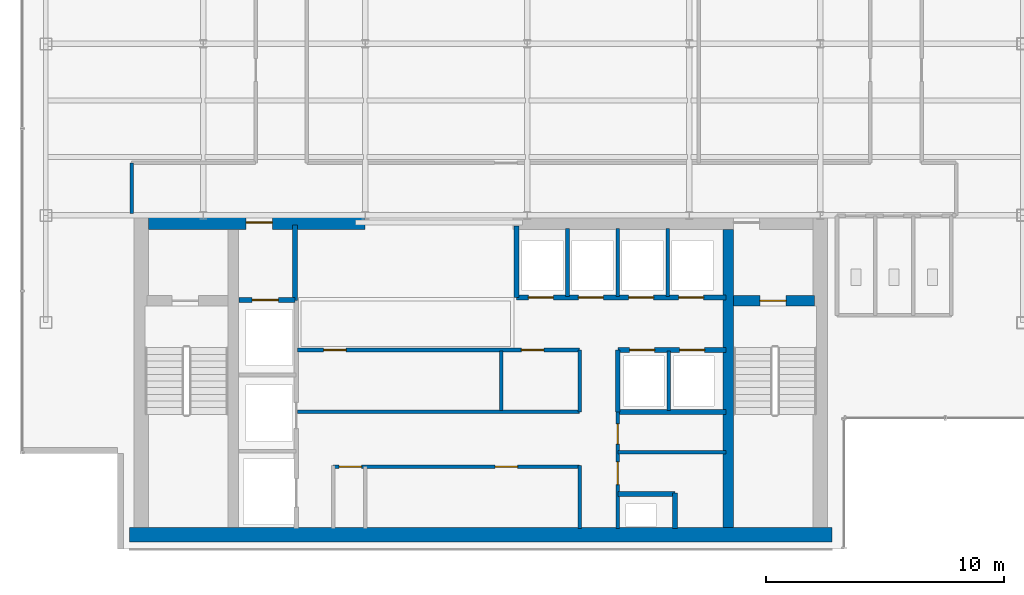
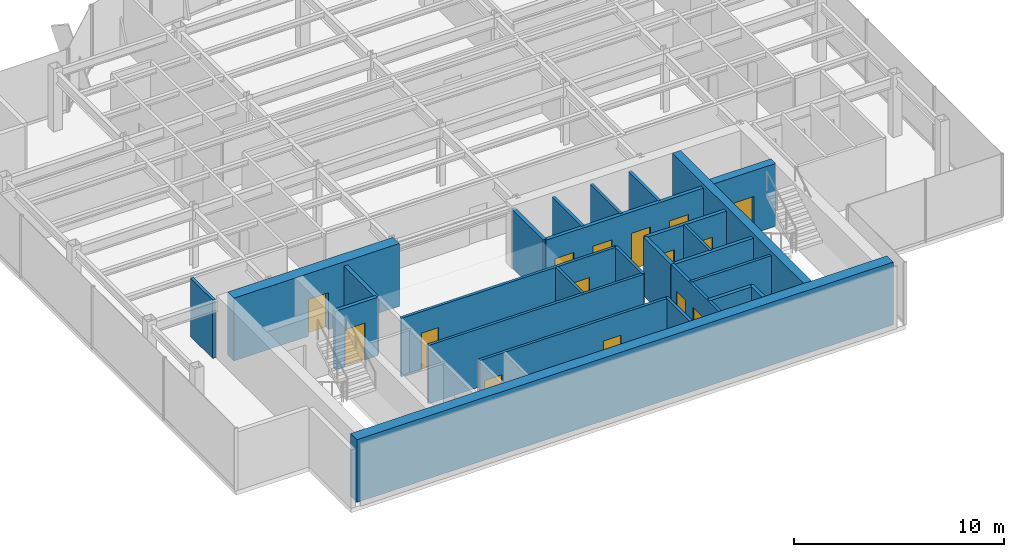
# One storey, part 17 of 22: 26 walls, 15 doors, 15 openings.
"""IFC4 building model written with IfcOpenShell, lengths in metres."""

from ifc_helpers import new_model, si_unit, derived_unit, direction, frame, frame_2d, origin, place, context, subcontext, project, spatial, rectangle, extrude, source, transform, mapped, material, layer, layer_set, type_object, element, fill, save


model = new_model("IFC4")

# Units and contexts
model_context = context("Model", 3, precision=1e-05, world=origin(), true_north=direction((0.0, 1.0)))
body_context = subcontext(model_context, "Body", "Model", "MODEL_VIEW")
ifc_project = project(units=[si_unit("LENGTHUNIT", "METRE"), si_unit("AREAUNIT", "SQUARE_METRE"), si_unit("VOLUMEUNIT", "CUBIC_METRE"), si_unit("PLANEANGLEUNIT", "RADIAN"), si_unit("MASSUNIT", "GRAM", prefix="KILO"), derived_unit("THERMALTRANSMITTANCEUNIT", [(si_unit("POWERUNIT", "WATT"), 1), (si_unit("LENGTHUNIT", "METRE"), -2), (si_unit("THERMODYNAMICTEMPERATUREUNIT", "KELVIN"), -1)])], contexts=[model_context])

# Site, building, storey
site_placement = place(None, origin())
site = spatial("IfcSite", under=ifc_project, at=site_placement, CompositionType="ELEMENT")
building_placement = place(site_placement, origin())
building = spatial("IfcBuilding", under=site, at=building_placement, Name="Skarnbrae Concourse Arena and Tower", CompositionType="ELEMENT")
storey_placement = place(building_placement, frame((0.0, 0.0, 244.199951171875)))
storey = spatial("IfcBuildingStorey", under=building, at=storey_placement, Name="L63", CompositionType="ELEMENT", Elevation=244.199951171875)

# Wall, opening, door
ifc_material_1 = material(Name="Concrete 50 MPa (C50/60)", Category="concrete")
ifc_layer_1 = layer(ifc_material_1, 0.449951171875)
ifc_layer_set_1 = layer_set([ifc_layer_1], Name="Concrete 50 MPa (C50/60)")
wall_type_1 = type_object("IfcWallType", Name="WALL-CORE-450-C50", PredefinedType="SHEAR", material=ifc_layer_set_1)
shared_shape_1 = source(origin(), body_context, "Body", "SweptSolid", [
    extrude(rectangle(XDim=3.389892578125, YDim=0.449951171875, at=frame_2d((1.69482421875, 0.0))), origin(), (0.0, 0.0, 1.0), 3.650146484375),
])
wall_1_placement = place(storey_placement, frame((29.860107421875, 10.419921875, 0.0), z_axis=(0.0, 0.0, 1.0), x_axis=(1.0, 0.0, 0.0)))
wall_1 = element("IfcWall", 1, at=wall_1_placement, inside=storey, type_object=wall_type_1, Name="L63 Rear core shear wall CW-ST2-N", PredefinedType="SHEAR", context=body_context, shape_type="MappedRepresentation", body=[
    mapped(shared_shape_1, transform((0.0, 0.0, 0.0))),
])
opening_1_placement = place(wall_1_placement, frame((1.10009765625, 0.0, 0.0)))
opening_1 = element("IfcOpeningElement", 2, at=opening_1_placement, cuts=wall_1, Name="Opening DT-03", PredefinedType="OPENING", context=body_context, shape_type="SweptSolid", body=[
    extrude(rectangle(XDim=1.10009765625, YDim=2.14990234375, at=frame_2d((0.550048828125, 1.074951171875))), frame((0.0, 0.23486328125, 0.0), z_axis=(0.0, -1.0, 0.0), x_axis=(1.0, 0.0, 0.0)), (0.0, 0.0, 1.0), 0.469970703125),
])
ifc_material_2 = material(Name="Steel CSA G40.21 350W", Category="steel")
door_type_1 = type_object("IfcDoorType", Name="DOOR-FIRE-1100-90M", OperationType="NOTDEFINED", PredefinedType="DOOR", material=ifc_material_2)
shared_shape_2 = source(origin(), body_context, "Body", "SweptSolid", [
    extrude(rectangle(XDim=1.10009765625, YDim=2.14990234375, at=frame_2d((0.550048828125, 1.074951171875))), frame((0.0, 0.02490234375, 0.0), z_axis=(0.0, -1.0, 0.0), x_axis=(1.0, 0.0, 0.0)), (0.0, 0.0, 1.0), 0.050048828125),
])
door_1_placement = place(opening_1_placement, frame((1.10009765625, 0.0, 0.0), z_axis=(0.0, 0.0, 1.0), x_axis=(-1.0, 0.0, 0.0)))
door_1 = element("IfcDoor", 3, at=door_1_placement, inside=storey, type_object=door_type_1, Name="D-1894 Stair ST-2 Door", OperationType="SINGLE_SWING_RIGHT", OverallHeight=2.14990234375, OverallWidth=1.10009765625, PredefinedType="DOOR", context=body_context, shape_type="MappedRepresentation", body=[
    mapped(shared_shape_2, transform((0.0, 0.0, 0.0))),
])
fill(opening_1, door_1)

# Wall
ifc_layer_2 = layer(ifc_material_1, 0.60009765625)
ifc_layer_set_2 = layer_set([ifc_layer_2], Name="Concrete 50 MPa (C50/60)")
wall_type_2 = type_object("IfcWallType", Name="WALL-CORE-600-C50", PredefinedType="SHEAR", material=ifc_layer_set_2)
shared_shape_3 = source(origin(), body_context, "Body", "SweptSolid", [
    extrude(rectangle(XDim=29.5, YDim=0.60009765625, at=frame_2d((14.75, 0.0))), origin(), (0.0, 0.0, 1.0), 3.650146484375),
])
wall_2_placement = place(storey_placement, frame((4.5, 0.60009765625, 0.0), z_axis=(0.0, 0.0, 1.0), x_axis=(1.0, 0.0, 0.0)))
element("IfcWall", 4, at=wall_2_placement, inside=storey, type_object=wall_type_2, Name="L63 Rear core shear wall CW-S", PredefinedType="SHEAR", context=body_context, shape_type="MappedRepresentation", body=[
    mapped(shared_shape_3, transform((0.0, 0.0, 0.0))),
])

# Wall, opening, door
shared_shape_4 = source(origin(), body_context, "Body", "SweptSolid", [
    extrude(rectangle(XDim=9.099853515625, YDim=0.60009765625, at=frame_2d((4.5498046875, 0.0))), origin(), (0.0, 0.0, 1.0), 3.650146484375),
])
wall_3_placement = place(storey_placement, frame((5.300048828125, 13.699951171875, 0.0), z_axis=(0.0, 0.0, 1.0), x_axis=(1.0, 0.0, 0.0)))
wall_3 = element("IfcWall", 5, at=wall_3_placement, inside=storey, type_object=wall_type_2, Name="L63 Rear core shear wall CW-NW", PredefinedType="SHEAR", context=body_context, shape_type="MappedRepresentation", body=[
    mapped(shared_shape_4, transform((0.0, 0.0, 0.0))),
])
opening_2_placement = place(wall_3_placement, frame((4.10009765625, 0.0, 0.0)))
opening_2 = element("IfcOpeningElement", 6, at=opening_2_placement, cuts=wall_3, Name="Opening DT-03", PredefinedType="OPENING", context=body_context, shape_type="SweptSolid", body=[
    extrude(rectangle(XDim=1.10009765625, YDim=2.14990234375, at=frame_2d((0.550048828125, 1.074951171875))), frame((0.0, 0.31005859375, 0.0), z_axis=(0.0, -1.0, 0.0), x_axis=(1.0, 0.0, 0.0)), (0.0, 0.0, 1.0), 0.6201171875),
])
door_2_placement = place(opening_2_placement, origin())
door_2 = element("IfcDoor", 7, at=door_2_placement, inside=storey, type_object=door_type_1, Name="D-1895 Firefighting Lobby Exit Door", OperationType="SINGLE_SWING_RIGHT", OverallHeight=2.14990234375, OverallWidth=1.10009765625, PredefinedType="DOOR", context=body_context, shape_type="MappedRepresentation", body=[
    mapped(shared_shape_2, transform((0.0, 0.0, 0.0))),
])
fill(opening_2, door_2)

# Walls
shared_shape_5 = source(origin(), body_context, "Body", "SweptSolid", [
    extrude(rectangle(XDim=12.5, YDim=0.449951171875, at=frame_2d((6.25, 0.0))), origin(), (0.0, 0.0, 1.0), 3.650146484375),
])
wall_4_placement = place(storey_placement, frame((29.635009765625, 0.89990234375, 0.0), z_axis=(0.0, 0.0, 1.0), x_axis=(0.0, 1.0, 0.0)))
element("IfcWall", 8, at=wall_4_placement, inside=storey, type_object=wall_type_1, Name="L63 Rear core shear wall CW-WEB-E", PredefinedType="SHEAR", context=body_context, shape_type="MappedRepresentation", body=[
    mapped(shared_shape_5, transform((0.0, 0.0, 0.0))),
])
ifc_material_3 = material(Name="Gypsum board on cold-formed steel studs", Category="steel")
ifc_layer_3 = layer(ifc_material_3, 0.199951171875)
ifc_layer_set_3 = layer_set([ifc_layer_3], Name="Gypsum board on cold-formed steel studs")
wall_type_3 = type_object("IfcWallType", Name="WALL-PART-200-2HR", PredefinedType="PARTITIONING", material=ifc_layer_set_3)
shared_shape_6 = source(origin(), body_context, "Body", "SweptSolid", [
    extrude(rectangle(XDim=3.18017578125, YDim=0.199951171875, at=frame_2d((1.590087890625, 0.0))), origin(), (0.0, 0.0, 1.0), 3.400146484375),
])
wall_5_placement = place(storey_placement, frame((11.449951171875, 10.419921875, 0.0), z_axis=(0.0, 0.0, 1.0), x_axis=(0.0, 1.0, 0.0)))
element("IfcWall", 9, at=wall_5_placement, inside=storey, type_object=wall_type_3, Name="L63 Interior partition wall W-L63-FFL-E", PredefinedType="PARTITIONING", context=body_context, shape_type="MappedRepresentation", body=[
    mapped(shared_shape_6, transform((0.0, 0.0, 0.0))),
])

# Wall, opening, door
shared_shape_7 = source(origin(), body_context, "Body", "SweptSolid", [
    extrude(rectangle(XDim=2.349853515625, YDim=0.199951171875, at=frame_2d((1.1748046875, 0.0))), origin(), (0.0, 0.0, 1.0), 3.400146484375),
])
wall_6_placement = place(storey_placement, frame((9.10009765625, 10.449951171875, 0.0), z_axis=(0.0, 0.0, 1.0), x_axis=(1.0, 0.0, 0.0)))
wall_6 = element("IfcWall", 10, at=wall_6_placement, inside=storey, type_object=wall_type_3, Name="L63 Interior partition wall W-L63-FL1-N", PredefinedType="PARTITIONING", context=body_context, shape_type="MappedRepresentation", body=[
    mapped(shared_shape_7, transform((0.0, 0.0, 0.0))),
])
opening_3_placement = place(wall_6_placement, frame((0.550048828125, 0.0, 0.0)))
opening_3 = element("IfcOpeningElement", 11, at=opening_3_placement, cuts=wall_6, Name="Opening LD-01", PredefinedType="OPENING", context=body_context, shape_type="SweptSolid", body=[
    extrude(rectangle(XDim=1.10009765625, YDim=2.14990234375, at=frame_2d((0.550048828125, 1.074951171875))), frame((0.0, 0.10986328125, 0.0), z_axis=(0.0, -1.0, 0.0), x_axis=(1.0, 0.0, 0.0)), (0.0, 0.0, 1.0), 0.219970703125),
])
door_type_2 = type_object("IfcDoorType", Name="DOOR-LIFT-SLIDE-1100", OperationType="SLIDING_TO_LEFT", PredefinedType="DOOR", material=ifc_material_2)
door_3_placement = place(opening_3_placement, origin())
door_3 = element("IfcDoor", 12, at=door_3_placement, inside=storey, type_object=door_type_2, Name="D-1897 Firefighting Lift Landing Door FL-01", OperationType="SLIDING_TO_LEFT", OverallHeight=2.14990234375, OverallWidth=1.10009765625, PredefinedType="DOOR", context=body_context, shape_type="MappedRepresentation", body=[
    mapped(shared_shape_2, transform((0.0, 0.0, 0.0))),
])
fill(opening_3, door_3)

# Walls
shared_shape_8 = source(origin(), body_context, "Body", "SweptSolid", [
    extrude(rectangle(XDim=2.60009765625, YDim=0.199951171875, at=frame_2d((1.300048828125, 0.0))), origin(), (0.0, 0.0, 1.0), 3.400146484375),
])
wall_7_placement = place(storey_placement, frame((25.0, 5.75, 0.0), z_axis=(0.0, 0.0, 1.0), x_axis=(0.0, 1.0, 0.0)))
element("IfcWall", 13, at=wall_7_placement, inside=storey, type_object=wall_type_3, Name="L63 Interior partition wall W-L63-B3S-W", PredefinedType="PARTITIONING", context=body_context, shape_type="MappedRepresentation", body=[
    mapped(shared_shape_8, transform((0.0, 0.0, 0.0))),
])
ifc_layer_4 = layer(ifc_material_3, 0.14990234375)
ifc_layer_set_4 = layer_set([ifc_layer_4], Name="Gypsum board on cold-formed steel studs")
wall_type_4 = type_object("IfcWallType", Name="WALL-PART-150", PredefinedType="PARTITIONING", material=ifc_layer_set_4)
shared_shape_9 = source(origin(), body_context, "Body", "SweptSolid", [
    extrude(rectangle(XDim=2.5, YDim=0.14990234375, at=frame_2d((1.25, 0.0))), origin(), (0.0, 0.0, 1.0), 3.400146484375),
])
for number, where, z_axis, x_axis, name in (
    (14, (20.10009765625, 5.800048828125, 0.0), (0.0, 0.0, 1.0), (0.0, 1.0, 0.0), "L63 Interior partition wall W-L63-B2M-MID"),
    (15, (27.139892578125, 5.800048828125, 0.0), (0.0, 0.0, 1.0), (0.0, 1.0, 0.0), "L63 Interior partition wall W-L63-B3S-P1"),
):
    element("IfcWall", number, at=place(storey_placement, frame(where, z_axis=z_axis, x_axis=x_axis)), inside=storey, type_object=wall_type_4, Name=name, PredefinedType="PARTITIONING", context=body_context, shape_type="MappedRepresentation", body=[
        mapped(shared_shape_9, transform((0.0, 0.0, 0.0))),
    ])

# Wall, openings, doors
shared_shape_10 = source(origin(), body_context, "Body", "SweptSolid", [
    extrude(rectangle(XDim=8.800048828125, YDim=0.199951171875, at=frame_2d((4.39990234375, 0.0))), origin(), (0.0, 0.0, 1.0), 3.400146484375),
])
wall_8_placement = place(storey_placement, frame((20.75, 10.550048828125, 0.0), z_axis=(0.0, 0.0, 1.0), x_axis=(1.0, 0.0, 0.0)))
wall_8 = element("IfcWall", 16, at=wall_8_placement, inside=storey, type_object=wall_type_3, Name="L63 Interior partition wall W-L63-B3N-S", PredefinedType="PARTITIONING", context=body_context, shape_type="MappedRepresentation", body=[
    mapped(shared_shape_10, transform((0.0, 0.0, 0.0))),
])
opening_4_placement = place(wall_8_placement, frame((0.5, 0.0, 0.0)))
opening_4 = element("IfcOpeningElement", 17, at=opening_4_placement, cuts=wall_8, Name="Opening LD-04", PredefinedType="OPENING", context=body_context, shape_type="SweptSolid", body=[
    extrude(rectangle(XDim=1.050048828125, YDim=2.14990234375, at=frame_2d((0.52490234375, 1.074951171875))), frame((0.0, 0.10986328125, 0.0), z_axis=(0.0, -1.0, 0.0), x_axis=(1.0, 0.0, 0.0)), (0.0, 0.0, 1.0), 0.219970703125),
])
opening_5_placement = place(wall_8_placement, frame((2.60009765625, 0.0, 0.0)))
opening_5 = element("IfcOpeningElement", 18, at=opening_5_placement, cuts=wall_8, Name="Opening LD-04", PredefinedType="OPENING", context=body_context, shape_type="SweptSolid", body=[
    extrude(rectangle(XDim=1.050048828125, YDim=2.14990234375, at=frame_2d((0.52490234375, 1.074951171875))), frame((0.0, 0.10986328125, 0.0), z_axis=(0.0, -1.0, 0.0), x_axis=(1.0, 0.0, 0.0)), (0.0, 0.0, 1.0), 0.219970703125),
])
opening_6_placement = place(wall_8_placement, frame((4.699951171875, 0.0, 0.0)))
opening_6 = element("IfcOpeningElement", 19, at=opening_6_placement, cuts=wall_8, Name="Opening LD-04", PredefinedType="OPENING", context=body_context, shape_type="SweptSolid", body=[
    extrude(rectangle(XDim=1.050048828125, YDim=2.14990234375, at=frame_2d((0.52490234375, 1.074951171875))), frame((0.0, 0.10986328125, 0.0), z_axis=(0.0, -1.0, 0.0), x_axis=(1.0, 0.0, 0.0)), (0.0, 0.0, 1.0), 0.219970703125),
])
opening_7_placement = place(wall_8_placement, frame((6.800048828125, 0.0, 0.0)))
opening_7 = element("IfcOpeningElement", 20, at=opening_7_placement, cuts=wall_8, Name="Opening LD-04", PredefinedType="OPENING", context=body_context, shape_type="SweptSolid", body=[
    extrude(rectangle(XDim=1.050048828125, YDim=2.14990234375, at=frame_2d((0.52490234375, 1.074951171875))), frame((0.0, 0.10986328125, 0.0), z_axis=(0.0, -1.0, 0.0), x_axis=(1.0, 0.0, 0.0)), (0.0, 0.0, 1.0), 0.219970703125),
])
ifc_material_4 = material(Name="Bronze anodised aluminium 6063-T6", Category="aluminium")
door_type_3 = type_object("IfcDoorType", Name="DOOR-LIFT-SLIDE-1050H", OperationType="SLIDING_TO_LEFT", PredefinedType="DOOR", material=ifc_material_4)
shared_shape_11 = source(origin(), body_context, "Body", "SweptSolid", [
    extrude(rectangle(XDim=1.050048828125, YDim=2.14990234375, at=frame_2d((0.52490234375, 1.074951171875))), frame((0.0, 0.02490234375, 0.0), z_axis=(0.0, -1.0, 0.0), x_axis=(1.0, 0.0, 0.0)), (0.0, 0.0, 1.0), 0.050048828125),
])
door_4_placement = place(opening_4_placement, frame((1.050048828125, 0.0, 0.0), z_axis=(0.0, 0.0, 1.0), x_axis=(-1.0, 0.0, 0.0)))
door_4 = element("IfcDoor", 21, at=door_4_placement, inside=storey, type_object=door_type_3, Name="D-1904 Passenger Lift Landing Door PL-3A", OperationType="SLIDING_TO_LEFT", OverallHeight=2.14990234375, OverallWidth=1.050048828125, PredefinedType="DOOR", context=body_context, shape_type="MappedRepresentation", body=[
    mapped(shared_shape_11, transform((0.0, 0.0, 0.0))),
])
fill(opening_4, door_4)
door_5_placement = place(opening_5_placement, frame((1.050048828125, 0.0, 0.0), z_axis=(0.0, 0.0, 1.0), x_axis=(-1.0, 0.0, 0.0)))
door_5 = element("IfcDoor", 22, at=door_5_placement, inside=storey, type_object=door_type_3, Name="D-1905 Passenger Lift Landing Door PL-3B", OperationType="SLIDING_TO_LEFT", OverallHeight=2.14990234375, OverallWidth=1.050048828125, PredefinedType="DOOR", context=body_context, shape_type="MappedRepresentation", body=[
    mapped(shared_shape_11, transform((0.0, 0.0, 0.0))),
])
fill(opening_5, door_5)
door_6_placement = place(opening_6_placement, frame((1.050048828125, 0.0, 0.0), z_axis=(0.0, 0.0, 1.0), x_axis=(-1.0, 0.0, 0.0)))
door_6 = element("IfcDoor", 23, at=door_6_placement, inside=storey, type_object=door_type_3, Name="D-1906 Passenger Lift Landing Door PL-3C", OperationType="SLIDING_TO_LEFT", OverallHeight=2.14990234375, OverallWidth=1.050048828125, PredefinedType="DOOR", context=body_context, shape_type="MappedRepresentation", body=[
    mapped(shared_shape_11, transform((0.0, 0.0, 0.0))),
])
fill(opening_6, door_6)
door_7_placement = place(opening_7_placement, frame((1.050048828125, 0.0, 0.0), z_axis=(0.0, 0.0, 1.0), x_axis=(-1.0, 0.0, 0.0)))
door_7 = element("IfcDoor", 24, at=door_7_placement, inside=storey, type_object=door_type_3, Name="D-1907 Passenger Lift Landing Door PL-3D", OperationType="SLIDING_TO_LEFT", OverallHeight=2.14990234375, OverallWidth=1.050048828125, PredefinedType="DOOR", context=body_context, shape_type="MappedRepresentation", body=[
    mapped(shared_shape_11, transform((0.0, 0.0, 0.0))),
])
fill(opening_7, door_7)

# Walls
shared_shape_12 = source(origin(), body_context, "Body", "SweptSolid", [
    extrude(rectangle(XDim=3.0, YDim=0.199951171875, at=frame_2d((1.5, 0.0))), origin(), (0.0, 0.0, 1.0), 3.400146484375),
])
wall_9_placement = place(storey_placement, frame((20.75, 10.550048828125, 0.0), z_axis=(0.0, 0.0, 1.0), x_axis=(0.0, 1.0, 0.0)))
element("IfcWall", 25, at=wall_9_placement, inside=storey, type_object=wall_type_3, Name="L63 Interior partition wall W-L63-B3N-W", PredefinedType="PARTITIONING", context=body_context, shape_type="MappedRepresentation", body=[
    mapped(shared_shape_12, transform((0.0, 0.0, 0.0))),
])
shared_shape_13 = source(origin(), body_context, "Body", "SweptSolid", [
    extrude(rectangle(XDim=2.849853515625, YDim=0.14990234375, at=frame_2d((1.4248046875, 0.0))), origin(), (0.0, 0.0, 1.0), 3.400146484375),
])
for number, where, z_axis, x_axis, name in (
    (26, (22.889892578125, 10.60009765625, 0.0), (0.0, 0.0, 1.0), (0.0, 1.0, 0.0), "L63 Interior partition wall W-L63-B3N-P1"),
    (27, (24.989990234375, 10.60009765625, 0.0), (0.0, 0.0, 1.0), (0.0, 1.0, 0.0), "L63 Interior partition wall W-L63-B3N-P2"),
    (28, (27.090087890625, 10.60009765625, 0.0), (0.0, 0.0, 1.0), (0.0, 1.0, 0.0), "L63 Interior partition wall W-L63-B3N-P3"),
):
    element("IfcWall", number, at=place(storey_placement, frame(where, z_axis=z_axis, x_axis=x_axis)), inside=storey, type_object=wall_type_4, Name=name, PredefinedType="PARTITIONING", context=body_context, shape_type="MappedRepresentation", body=[
        mapped(shared_shape_13, transform((0.0, 0.0, 0.0))),
    ])

# Wall, openings, doors
shared_shape_14 = source(origin(), body_context, "Body", "SweptSolid", [
    extrude(rectangle(XDim=4.550048828125, YDim=0.199951171875, at=frame_2d((2.27490234375, 0.0))), origin(), (0.0, 0.0, 1.0), 3.400146484375),
])
wall_10_placement = place(storey_placement, frame((25.0, 8.35009765625, 0.0), z_axis=(0.0, 0.0, 1.0), x_axis=(1.0, 0.0, 0.0)))
wall_10 = element("IfcWall", 29, at=wall_10_placement, inside=storey, type_object=wall_type_3, Name="L63 Interior partition wall W-L63-B3S-N", PredefinedType="PARTITIONING", context=body_context, shape_type="MappedRepresentation", body=[
    mapped(shared_shape_14, transform((0.0, 0.0, 0.0))),
])
opening_8_placement = place(wall_10_placement, frame((0.5, 0.0, 0.0)))
opening_8 = element("IfcOpeningElement", 30, at=opening_8_placement, cuts=wall_10, Name="Opening LD-04", PredefinedType="OPENING", context=body_context, shape_type="SweptSolid", body=[
    extrude(rectangle(XDim=1.050048828125, YDim=2.14990234375, at=frame_2d((0.52490234375, 1.074951171875))), frame((0.0, 0.10986328125, 0.0), z_axis=(0.0, -1.0, 0.0), x_axis=(1.0, 0.0, 0.0)), (0.0, 0.0, 1.0), 0.219970703125),
])
opening_9_placement = place(wall_10_placement, frame((2.60009765625, 0.0, 0.0)))
opening_9 = element("IfcOpeningElement", 31, at=opening_9_placement, cuts=wall_10, Name="Opening LD-04", PredefinedType="OPENING", context=body_context, shape_type="SweptSolid", body=[
    extrude(rectangle(XDim=1.050048828125, YDim=2.14990234375, at=frame_2d((0.52490234375, 1.074951171875))), frame((0.0, 0.10986328125, 0.0), z_axis=(0.0, -1.0, 0.0), x_axis=(1.0, 0.0, 0.0)), (0.0, 0.0, 1.0), 0.219970703125),
])
door_8_placement = place(opening_8_placement, origin())
door_8 = element("IfcDoor", 32, at=door_8_placement, inside=storey, type_object=door_type_3, Name="D-1908 Passenger Lift Landing Door PL-3E", OperationType="SLIDING_TO_LEFT", OverallHeight=2.14990234375, OverallWidth=1.050048828125, PredefinedType="DOOR", context=body_context, shape_type="MappedRepresentation", body=[
    mapped(shared_shape_11, transform((0.0, 0.0, 0.0))),
])
fill(opening_8, door_8)
door_9_placement = place(opening_9_placement, origin())
door_9 = element("IfcDoor", 33, at=door_9_placement, inside=storey, type_object=door_type_3, Name="D-1909 Passenger Lift Landing Door PL-3F", OperationType="SLIDING_TO_LEFT", OverallHeight=2.14990234375, OverallWidth=1.050048828125, PredefinedType="DOOR", context=body_context, shape_type="MappedRepresentation", body=[
    mapped(shared_shape_11, transform((0.0, 0.0, 0.0))),
])
fill(opening_9, door_9)

# Wall
wall_11_placement = place(storey_placement, frame((25.0, 5.75, 0.0), z_axis=(0.0, 0.0, 1.0), x_axis=(1.0, 0.0, 0.0)))
element("IfcWall", 34, at=wall_11_placement, inside=storey, type_object=wall_type_3, Name="L63 Interior partition wall W-L63-B3S-S", PredefinedType="PARTITIONING", context=body_context, shape_type="MappedRepresentation", body=[
    mapped(shared_shape_14, transform((0.0, 0.0, 0.0))),
])

# Wall, openings, doors
ifc_layer_5 = layer(ifc_material_3, 0.14990234375)
ifc_layer_set_5 = layer_set([ifc_layer_5], Name="Gypsum board on cold-formed steel studs")
wall_type_5 = type_object("IfcWallType", Name="WALL-PART-150-1HR", PredefinedType="PARTITIONING", material=ifc_layer_set_5)
shared_shape_15 = source(origin(), body_context, "Body", "SweptSolid", [
    extrude(rectangle(XDim=4.89990234375, YDim=0.14990234375, at=frame_2d((2.449951171875, 0.0))), origin(), (0.0, 0.0, 1.0), 3.400146484375),
])
wall_12_placement = place(storey_placement, frame((25.0, 0.85009765625, 0.0), z_axis=(0.0, 0.0, 1.0), x_axis=(0.0, 1.0, 0.0)))
wall_12 = element("IfcWall", 35, at=wall_12_placement, inside=storey, type_object=wall_type_5, Name="L63 Interior partition wall W-L63-CSV-W", PredefinedType="PARTITIONING", context=body_context, shape_type="MappedRepresentation", body=[
    mapped(shared_shape_15, transform((0.0, 0.0, 0.0))),
])
opening_10_placement = place(wall_12_placement, frame((1.85009765625, 0.0, 0.0)))
opening_10 = element("IfcOpeningElement", 36, at=opening_10_placement, cuts=wall_12, Name="Opening DT-04", PredefinedType="OPENING", context=body_context, shape_type="SweptSolid", body=[
    extrude(rectangle(XDim=0.949951171875, YDim=2.14990234375, at=frame_2d((0.47509765625, 1.074951171875))), frame((0.0, 0.0849609375, 0.0), z_axis=(0.0, -1.0, 0.0), x_axis=(1.0, 0.0, 0.0)), (0.0, 0.0, 1.0), 0.169921875),
])
opening_11_placement = place(wall_12_placement, frame((3.550048828125, 0.0, 0.0)))
opening_11 = element("IfcOpeningElement", 37, at=opening_11_placement, cuts=wall_12, Name="Opening DT-08", PredefinedType="OPENING", context=body_context, shape_type="SweptSolid", body=[
    extrude(rectangle(XDim=0.85009765625, YDim=2.14990234375, at=frame_2d((0.425048828125, 1.074951171875))), frame((0.0, 0.0849609375, 0.0), z_axis=(0.0, -1.0, 0.0), x_axis=(1.0, 0.0, 0.0)), (0.0, 0.0, 1.0), 0.169921875),
])
door_type_4 = type_object("IfcDoorType", Name="DOOR-INT-950-45M", OperationType="NOTDEFINED", PredefinedType="DOOR", material=ifc_material_2)
shared_shape_16 = source(origin(), body_context, "Body", "SweptSolid", [
    extrude(rectangle(XDim=0.949951171875, YDim=2.14990234375, at=frame_2d((0.47509765625, 1.074951171875))), frame((0.0, 0.02490234375, 0.0), z_axis=(0.0, -1.0, 0.0), x_axis=(1.0, 0.0, 0.0)), (0.0, 0.0, 1.0), 0.050048828125),
])
door_10_placement = place(opening_10_placement, origin())
door_10 = element("IfcDoor", 38, at=door_10_placement, inside=storey, type_object=door_type_4, Name="D-1910 Core Staff WC Door", OperationType="SINGLE_SWING_RIGHT", OverallHeight=2.14990234375, OverallWidth=0.949951171875, PredefinedType="DOOR", context=body_context, shape_type="MappedRepresentation", body=[
    mapped(shared_shape_16, transform((0.0, 0.0, 0.0))),
])
fill(opening_10, door_10)
door_type_5 = type_object("IfcDoorType", Name="DOOR-INT-850-45M", OperationType="NOTDEFINED", PredefinedType="DOOR", material=ifc_material_2)
shared_shape_17 = source(origin(), body_context, "Body", "SweptSolid", [
    extrude(rectangle(XDim=0.85009765625, YDim=2.14990234375, at=frame_2d((0.425048828125, 1.074951171875))), frame((0.0, 0.02490234375, 0.0), z_axis=(0.0, -1.0, 0.0), x_axis=(1.0, 0.0, 0.0)), (0.0, 0.0, 1.0), 0.050048828125),
])
door_11_placement = place(opening_11_placement, origin())
door_11 = element("IfcDoor", 39, at=door_11_placement, inside=storey, type_object=door_type_5, Name="D-1911 IT Patch Room Door", OperationType="SINGLE_SWING_LEFT", OverallHeight=2.14990234375, OverallWidth=0.85009765625, PredefinedType="DOOR", context=body_context, shape_type="MappedRepresentation", body=[
    mapped(shared_shape_17, transform((0.0, 0.0, 0.0))),
])
fill(opening_11, door_11)

# Walls
shared_shape_18 = source(origin(), body_context, "Body", "SweptSolid", [
    extrude(rectangle(XDim=2.39990234375, YDim=0.199951171875, at=frame_2d((1.199951171875, 0.0))), origin(), (0.0, 0.0, 1.0), 3.400146484375),
])
wall_13_placement = place(storey_placement, frame((25.0, 2.300048828125, 0.0), z_axis=(0.0, 0.0, 1.0), x_axis=(1.0, 0.0, 0.0)))
element("IfcWall", 40, at=wall_13_placement, inside=storey, type_object=wall_type_3, Name="L63 Interior partition wall W-L63-MEP-N", PredefinedType="PARTITIONING", context=body_context, shape_type="MappedRepresentation", body=[
    mapped(shared_shape_18, transform((0.0, 0.0, 0.0))),
])
shared_shape_19 = source(origin(), body_context, "Body", "SweptSolid", [
    extrude(rectangle(XDim=1.5, YDim=0.199951171875, at=frame_2d((0.75, 0.0))), origin(), (0.0, 0.0, 1.0), 3.400146484375),
])
wall_14_placement = place(storey_placement, frame((27.39990234375, 0.85009765625, 0.0), z_axis=(0.0, 0.0, 1.0), x_axis=(0.0, 1.0, 0.0)))
element("IfcWall", 41, at=wall_14_placement, inside=storey, type_object=wall_type_3, Name="L63 Interior partition wall W-L63-MEP-E", PredefinedType="PARTITIONING", context=body_context, shape_type="MappedRepresentation", body=[
    mapped(shared_shape_19, transform((0.0, 0.0, 0.0))),
])
shared_shape_20 = source(origin(), body_context, "Body", "SweptSolid", [
    extrude(rectangle(XDim=4.550048828125, YDim=0.14990234375, at=frame_2d((2.27490234375, 0.0))), origin(), (0.0, 0.0, 1.0), 3.400146484375),
])
wall_15_placement = place(storey_placement, frame((25.0, 4.050048828125, 0.0), z_axis=(0.0, 0.0, 1.0), x_axis=(1.0, 0.0, 0.0)))
element("IfcWall", 42, at=wall_15_placement, inside=storey, type_object=wall_type_4, Name="L63 Interior partition wall W-L63-CSV-H2", PredefinedType="PARTITIONING", context=body_context, shape_type="MappedRepresentation", body=[
    mapped(shared_shape_20, transform((0.0, 0.0, 0.0))),
])
shared_shape_21 = source(origin(), body_context, "Body", "SweptSolid", [
    extrude(rectangle(XDim=2.64990234375, YDim=0.14990234375, at=frame_2d((1.324951171875, 0.0))), origin(), (0.0, 0.0, 1.0), 3.400146484375),
])
wall_16_placement = place(storey_placement, frame((23.39990234375, 0.85009765625, 0.0), z_axis=(0.0, 0.0, 1.0), x_axis=(0.0, 1.0, 0.0)))
element("IfcWall", 43, at=wall_16_placement, inside=storey, type_object=wall_type_5, Name="L63 Interior partition wall W-L63-B1M-E", PredefinedType="PARTITIONING", context=body_context, shape_type="MappedRepresentation", body=[
    mapped(shared_shape_21, transform((0.0, 0.0, 0.0))),
])

# Wall, openings, doors
shared_shape_22 = source(origin(), body_context, "Body", "SweptSolid", [
    extrude(rectangle(XDim=10.349853515625, YDim=0.14990234375, at=frame_2d((5.1748046875, 0.0))), origin(), (0.0, 0.0, 1.0), 3.400146484375),
])
wall_17_placement = place(storey_placement, frame((13.050048828125, 3.449951171875, 0.0), z_axis=(0.0, 0.0, 1.0), x_axis=(1.0, 0.0, 0.0)))
wall_17 = element("IfcWall", 44, at=wall_17_placement, inside=storey, type_object=wall_type_5, Name="L63 Interior partition wall W-L63-B1M-N", PredefinedType="PARTITIONING", context=body_context, shape_type="MappedRepresentation", body=[
    mapped(shared_shape_22, transform((0.0, 0.0, 0.0))),
])
opening_12_placement = place(wall_17_placement, frame((0.25, 0.0, 0.0)))
opening_12 = element("IfcOpeningElement", 45, at=opening_12_placement, cuts=wall_17, Name="Opening DT-04", PredefinedType="OPENING", context=body_context, shape_type="SweptSolid", body=[
    extrude(rectangle(XDim=0.949951171875, YDim=2.14990234375, at=frame_2d((0.47509765625, 1.074951171875))), frame((0.0, 0.0849609375, 0.0), z_axis=(0.0, -1.0, 0.0), x_axis=(1.0, 0.0, 0.0)), (0.0, 0.0, 1.0), 0.169921875),
])
opening_13_placement = place(wall_17_placement, frame((6.800048828125, 0.0, 0.0)))
opening_13 = element("IfcOpeningElement", 46, at=opening_13_placement, cuts=wall_17, Name="Opening DT-04", PredefinedType="OPENING", context=body_context, shape_type="SweptSolid", body=[
    extrude(rectangle(XDim=0.949951171875, YDim=2.14990234375, at=frame_2d((0.47509765625, 1.074951171875))), frame((0.0, 0.0849609375, 0.0), z_axis=(0.0, -1.0, 0.0), x_axis=(1.0, 0.0, 0.0)), (0.0, 0.0, 1.0), 0.169921875),
])
door_12_placement = place(opening_12_placement, origin())
door_12 = element("IfcDoor", 47, at=door_12_placement, inside=storey, type_object=door_type_4, Name="D-1900 First Aid Room Door", OperationType="SINGLE_SWING_LEFT", OverallHeight=2.14990234375, OverallWidth=0.949951171875, PredefinedType="DOOR", context=body_context, shape_type="MappedRepresentation", body=[
    mapped(shared_shape_16, transform((0.0, 0.0, 0.0))),
])
fill(opening_12, door_12)
door_13_placement = place(opening_13_placement, origin())
door_13 = element("IfcDoor", 48, at=door_13_placement, inside=storey, type_object=door_type_4, Name="D-1901 Archive Room Door", OperationType="SINGLE_SWING_RIGHT", OverallHeight=2.14990234375, OverallWidth=0.949951171875, PredefinedType="DOOR", context=body_context, shape_type="MappedRepresentation", body=[
    mapped(shared_shape_16, transform((0.0, 0.0, 0.0))),
])
fill(opening_13, door_13)

# Wall
shared_shape_23 = source(origin(), body_context, "Body", "SweptSolid", [
    extrude(rectangle(XDim=11.849853515625, YDim=0.14990234375, at=frame_2d((5.9248046875, 0.0))), origin(), (0.0, 0.0, 1.0), 3.400146484375),
])
wall_18_placement = place(storey_placement, frame((11.550048828125, 5.75, 0.0), z_axis=(0.0, 0.0, 1.0), x_axis=(1.0, 0.0, 0.0)))
element("IfcWall", 49, at=wall_18_placement, inside=storey, type_object=wall_type_5, Name="L63 Interior partition wall W-L63-B2M-S", PredefinedType="PARTITIONING", context=body_context, shape_type="MappedRepresentation", body=[
    mapped(shared_shape_23, transform((0.0, 0.0, 0.0))),
])

# Wall, openings, doors
wall_19_placement = place(storey_placement, frame((11.550048828125, 8.35009765625, 0.0), z_axis=(0.0, 0.0, 1.0), x_axis=(1.0, 0.0, 0.0)))
wall_19 = element("IfcWall", 50, at=wall_19_placement, inside=storey, type_object=wall_type_5, Name="L63 Interior partition wall W-L63-B2M-N", PredefinedType="PARTITIONING", context=body_context, shape_type="MappedRepresentation", body=[
    mapped(shared_shape_23, transform((0.0, 0.0, 0.0))),
])
opening_14_placement = place(wall_19_placement, frame((1.10009765625, 0.0, 0.0)))
opening_14 = element("IfcOpeningElement", 51, at=opening_14_placement, cuts=wall_19, Name="Opening DT-04", PredefinedType="OPENING", context=body_context, shape_type="SweptSolid", body=[
    extrude(rectangle(XDim=0.949951171875, YDim=2.14990234375, at=frame_2d((0.47509765625, 1.074951171875))), frame((0.0, 0.0849609375, 0.0), z_axis=(0.0, -1.0, 0.0), x_axis=(1.0, 0.0, 0.0)), (0.0, 0.0, 1.0), 0.169921875),
])
opening_15_placement = place(wall_19_placement, frame((9.39990234375, 0.0, 0.0)))
opening_15 = element("IfcOpeningElement", 52, at=opening_15_placement, cuts=wall_19, Name="Opening DT-04", PredefinedType="OPENING", context=body_context, shape_type="SweptSolid", body=[
    extrude(rectangle(XDim=0.949951171875, YDim=2.14990234375, at=frame_2d((0.47509765625, 1.074951171875))), frame((0.0, 0.0849609375, 0.0), z_axis=(0.0, -1.0, 0.0), x_axis=(1.0, 0.0, 0.0)), (0.0, 0.0, 1.0), 0.169921875),
])
door_14_placement = place(opening_14_placement, origin())
door_14 = element("IfcDoor", 53, at=door_14_placement, inside=storey, type_object=door_type_4, Name="D-1902 High-Zone Data Door", OperationType="SINGLE_SWING_RIGHT", OverallHeight=2.14990234375, OverallWidth=0.949951171875, PredefinedType="DOOR", context=body_context, shape_type="MappedRepresentation", body=[
    mapped(shared_shape_16, transform((0.0, 0.0, 0.0))),
])
fill(opening_14, door_14)
door_15_placement = place(opening_15_placement, origin())
door_15 = element("IfcDoor", 54, at=door_15_placement, inside=storey, type_object=door_type_4, Name="D-1903 Reprographics Door", OperationType="SINGLE_SWING_LEFT", OverallHeight=2.14990234375, OverallWidth=0.949951171875, PredefinedType="DOOR", context=body_context, shape_type="MappedRepresentation", body=[
    mapped(shared_shape_16, transform((0.0, 0.0, 0.0))),
])
fill(opening_15, door_15)

# Walls
shared_shape_24 = source(origin(), body_context, "Body", "SweptSolid", [
    extrude(rectangle(XDim=2.60009765625, YDim=0.14990234375, at=frame_2d((1.300048828125, 0.0))), origin(), (0.0, 0.0, 1.0), 3.400146484375),
])
wall_20_placement = place(storey_placement, frame((23.39990234375, 5.75, 0.0), z_axis=(0.0, 0.0, 1.0), x_axis=(0.0, 1.0, 0.0)))
element("IfcWall", 55, at=wall_20_placement, inside=storey, type_object=wall_type_5, Name="L63 Interior partition wall W-L63-B2M-E", PredefinedType="PARTITIONING", context=body_context, shape_type="MappedRepresentation", body=[
    mapped(shared_shape_24, transform((0.0, 0.0, 0.0))),
])
shared_shape_25 = source(origin(), body_context, "Body", "SweptSolid", [
    extrude(rectangle(XDim=2.119873046875, YDim=0.14990234375, at=frame_2d((1.06005859375, 0.0))), origin(), (0.0, 0.0, 1.0), 3.400146484375),
])
wall_21_placement = place(storey_placement, frame((4.60009765625, 14.080078125, 0.0), z_axis=(0.0, 0.0, 1.0), x_axis=(0.0, 1.0, 0.0)))
element("IfcWall", 56, at=wall_21_placement, inside=storey, type_object=wall_type_5, Name="L63 Interior partition wall W-L63-COR-01", PredefinedType="PARTITIONING", context=body_context, shape_type="MappedRepresentation", body=[
    mapped(shared_shape_25, transform((0.0, 0.0, 0.0))),
])

save(model, "model.ifc")
